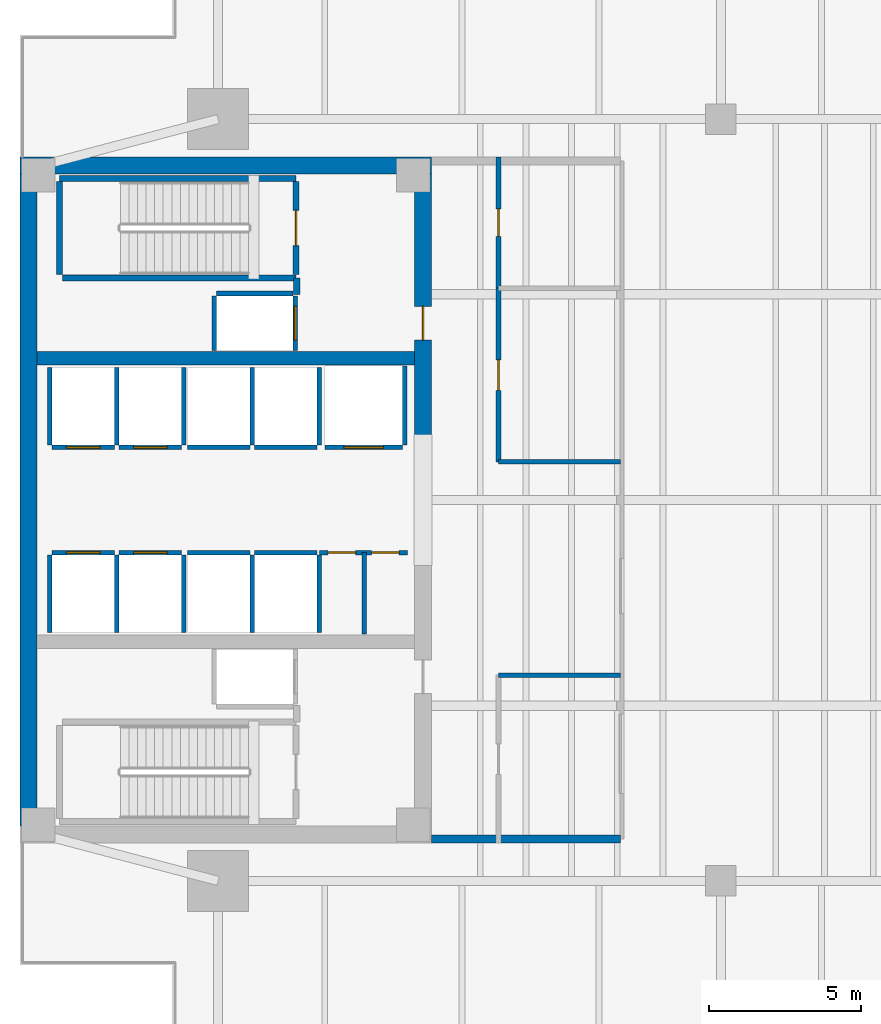
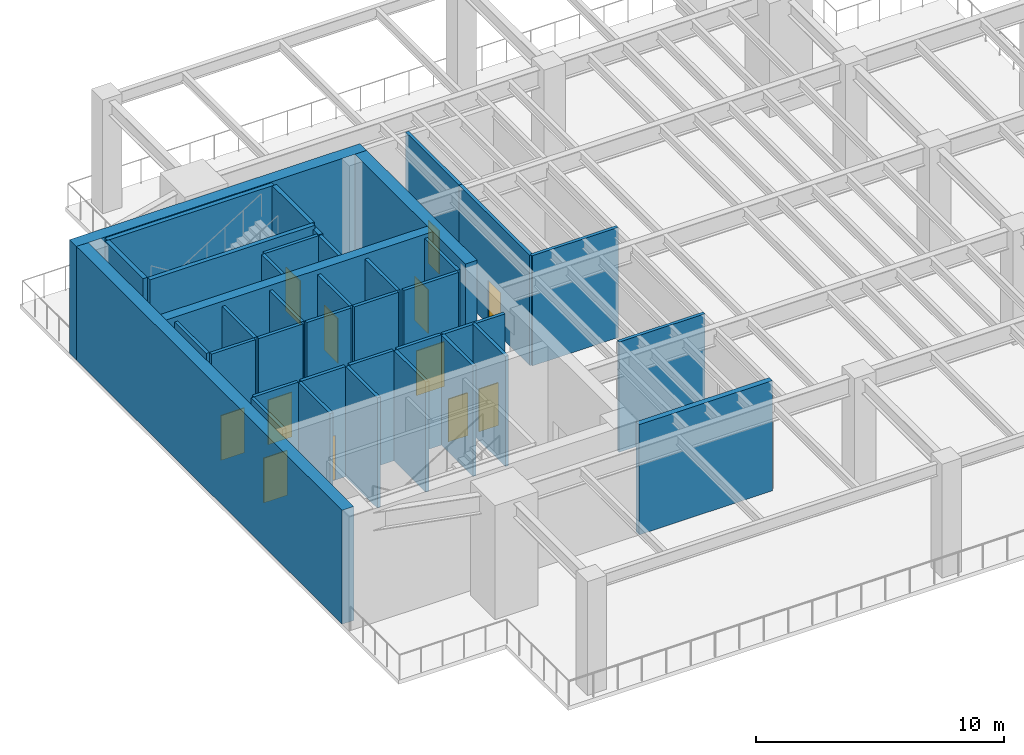
# One storey, part 3 of 8: 39 walls, 12 doors, 12 openings.
"""IFC4 building model written with IfcOpenShell, lengths in metres."""

from ifc_helpers import new_model, si_unit, direction, frame, frame_2d, origin, place, context, subcontext, project, spatial, rectangle, extrude, material, layer, layer_set, type_object, element, fill, save


model = new_model("IFC4")

# Units and contexts
model_context = context("Model", 3, precision=1e-05, world=origin(), true_north=direction((0.0, 1.0)))
body_context = subcontext(model_context, "Body", "Model", "MODEL_VIEW")
ifc_project = project(units=[si_unit("LENGTHUNIT", "METRE"), si_unit("AREAUNIT", "SQUARE_METRE"), si_unit("VOLUMEUNIT", "CUBIC_METRE"), si_unit("PLANEANGLEUNIT", "RADIAN"), si_unit("MASSUNIT", "GRAM", prefix="KILO")], contexts=[model_context])

# Site, building, storey
site_placement = place(None, origin())
site = spatial("IfcSite", under=ifc_project, at=site_placement, CompositionType="ELEMENT")
building_placement = place(site_placement, origin())
building = spatial("IfcBuilding", under=site, at=building_placement, Name="Kinhvarn Gate Tower", CompositionType="ELEMENT")
storey_placement = place(building_placement, frame((0.0, 0.0, 178.050048828125)))
storey = spatial("IfcBuildingStorey", under=building, at=storey_placement, Name="L47", CompositionType="ELEMENT", Elevation=178.050048828125)

# Walls
ifc_material_1 = material(Name="Concrete C50/60", Category="concrete")
ifc_layer_1 = layer(ifc_material_1, 0.449951171875)
ifc_layer_set_1 = layer_set([ifc_layer_1], Name="Concrete C50/60")
wall_type_1 = type_object("IfcWallType", Name="WL-CORE-450", PredefinedType="SHEAR", material=ifc_layer_set_1)
wall_1_placement = place(storey_placement, frame((5.050048828125, 29.89990234375, 0.0), z_axis=(0.0, 0.0, 1.0), x_axis=(1.0, 0.0, 0.0)))
element("IfcWall", 1, at=wall_1_placement, inside=storey, type_object=wall_type_1, Name="Core North Spine Shear Wall L47 450 mm", PredefinedType="SHEAR", context=body_context, shape_type="SweptSolid", body=[
    extrude(rectangle(XDim=12.39990234375, YDim=0.449951171875, at=frame_2d((6.199951171875, 0.0))), origin(), (0.0, 0.0, 1.0), 5.599853515625),
])
ifc_material_2 = material(Name="Concrete C60/75", Category="concrete")
ifc_layer_2 = layer(ifc_material_2, 0.550048828125)
ifc_layer_set_2 = layer_set([ifc_layer_2], Name="Concrete C60/75")
wall_type_2 = type_object("IfcWallType", Name="WL-CORE-550", PredefinedType="SHEAR", material=ifc_layer_set_2)
wall_2_placement = place(storey_placement, frame((4.5, 36.22509765625, 0.0), z_axis=(0.0, 0.0, 1.0), x_axis=(1.0, 0.0, 0.0)))
element("IfcWall", 2, at=wall_2_placement, inside=storey, type_object=wall_type_2, Name="Core North Shear Wall L47 550 mm", PredefinedType="SHEAR", context=body_context, shape_type="SweptSolid", body=[
    extrude(rectangle(XDim=13.5, YDim=0.550048828125, at=frame_2d((6.75, 0.0))), origin(), (0.0, 0.0, 1.0), 5.599853515625),
])

# Wall, opening, door
wall_3_placement = place(storey_placement, frame((17.72509765625, 27.050048828125, 0.0), z_axis=(0.0, 0.0, 1.0), x_axis=(0.0, 1.0, 0.0)))
wall_3 = element("IfcWall", 3, at=wall_3_placement, inside=storey, type_object=wall_type_2, Name="Core East-North Shear Pier L47 550 mm", PredefinedType="SHEAR", context=body_context, shape_type="SweptSolid", body=[
    extrude(rectangle(XDim=8.89990234375, YDim=0.550048828125, at=frame_2d((4.449951171875, 0.0))), origin(), (0.0, 0.0, 1.0), 5.599853515625),
])
opening_1_placement = place(wall_3_placement, frame((3.449951171875, 0.0, 0.0)))
opening_1 = element("IfcOpeningElement", 4, at=opening_1_placement, cuts=wall_3, Name="Opening FD-02", PredefinedType="OPENING", context=body_context, shape_type="SweptSolid", body=[
    extrude(rectangle(XDim=1.10009765625, YDim=2.14990234375, at=frame_2d((0.550048828125, 1.074951171875))), frame((0.0, 0.28515625, 0.0), z_axis=(0.0, -1.0, 0.0), x_axis=(1.0, 0.0, 0.0)), (0.0, 0.0, 1.0), 0.570068359375),
])
ifc_material_3 = material(Name="Anodised aluminium AW-6063", Category="aluminium")
door_type_1 = type_object("IfcDoorType", Name="DR-FD-1100", OperationType="NOTDEFINED", PredefinedType="DOOR", material=ifc_material_3)
door_1_placement = place(opening_1_placement, origin())
door_1 = element("IfcDoor", 5, at=door_1_placement, inside=storey, type_object=door_type_1, Name="Firefighting Lobby Core Door (L47)", OperationType="SINGLE_SWING_LEFT", OverallHeight=2.14990234375, OverallWidth=1.10009765625, PredefinedType="DOOR", context=body_context, shape_type="SweptSolid", body=[
    extrude(rectangle(XDim=1.10009765625, YDim=2.14990234375, at=frame_2d((0.550048828125, 1.074951171875))), frame((0.0, 0.02490234375, 0.0), z_axis=(0.0, -1.0, 0.0), x_axis=(1.0, 0.0, 0.0)), (0.0, 0.0, 1.0), 0.050048828125),
])
fill(opening_1, door_1)

# Walls
ifc_layer_3 = layer(ifc_material_2, 0.550048828125)
ifc_layer_set_3 = layer_set([ifc_layer_3], Name="Concrete C60/75")
wall_type_3 = type_object("IfcWallType", Name="WL-COREX-550", PredefinedType="SHEAR", material=ifc_layer_set_3)
wall_4_placement = place(storey_placement, frame((4.77490234375, 14.550048828125, 0.0), z_axis=(0.0, 0.0, 1.0), x_axis=(0.0, 1.0, 0.0)))
element("IfcWall", 6, at=wall_4_placement, inside=storey, type_object=wall_type_3, Name="Core West Shear Wall L47 550 mm", PredefinedType="SHEAR", context=body_context, shape_type="SweptSolid", body=[
    extrude(rectangle(XDim=21.39990234375, YDim=0.550048828125, at=frame_2d((10.699951171875, 0.0))), origin(), (0.0, 0.0, 1.0), 5.599853515625),
])
ifc_material_4 = material(Name="Fired architectural terracotta", Category="masonry")
ifc_layer_4 = layer(ifc_material_4, 0.25)
ifc_layer_set_4 = layer_set([ifc_layer_4], Name="Fired architectural terracotta")
wall_type_4 = type_object("IfcWallType", Name="WL-EXT-250", PredefinedType="SOLIDWALL", material=ifc_layer_set_4)
wall_5_placement = place(storey_placement, frame((18.0, 14.125, 0.0), z_axis=(0.0, 0.0, 1.0), x_axis=(1.0, 0.0, 0.0)))
element("IfcWall", 7, at=wall_5_placement, inside=storey, type_object=wall_type_4, Name="Exterior Solidwall Wall EW-250 (L47 Portal-Vestibule-S)", PredefinedType="SOLIDWALL", context=body_context, shape_type="SweptSolid", body=[
    extrude(rectangle(XDim=6.199951171875, YDim=0.25, at=frame_2d((3.10009765625, 0.0))), origin(), (0.0, 0.0, 1.0), 5.419921875),
])

# Wall, opening, door
ifc_material_5 = material(Name="Gypsum acoustic partition board")
ifc_layer_5 = layer(ifc_material_5, 0.14990234375)
ifc_layer_set_5 = layer_set([ifc_layer_5], Name="Gypsum acoustic partition board")
wall_type_5 = type_object("IfcWallType", Name="WL-PLM-150F", PredefinedType="PLUMBINGWALL", material=ifc_layer_set_5)
wall_6_placement = place(storey_placement, frame((20.199951171875, 32.199951171875, 0.0), z_axis=(0.0, 0.0, 1.0), x_axis=(0.0, 1.0, 0.0)))
wall_6 = element("IfcWall", 8, at=wall_6_placement, inside=storey, type_object=wall_type_5, Name="Interior Partition PLW-150F (L47)", PredefinedType="PLUMBINGWALL", context=body_context, shape_type="SweptSolid", body=[
    extrude(rectangle(XDim=4.300048828125, YDim=0.14990234375, at=frame_2d((2.14990234375, 0.0))), origin(), (0.0, 0.0, 1.0), 5.419921875),
])
opening_2_placement = place(wall_6_placement, frame((1.699951171875, 0.0, 0.0)))
opening_2 = element("IfcOpeningElement", 9, at=opening_2_placement, cuts=wall_6, Name="Opening FD-04", PredefinedType="OPENING", context=body_context, shape_type="SweptSolid", body=[
    extrude(rectangle(XDim=0.89990234375, YDim=2.10009765625, at=frame_2d((0.449951171875, 1.050048828125))), frame((0.0, 0.0849609375, 0.0), z_axis=(0.0, -1.0, 0.0), x_axis=(1.0, 0.0, 0.0)), (0.0, 0.0, 1.0), 0.169921875),
])
door_type_2 = type_object("IfcDoorType", Name="DR-FD-900", OperationType="NOTDEFINED", PredefinedType="DOOR", material=ifc_material_3)
door_2_placement = place(opening_2_placement, origin())
door_2 = element("IfcDoor", 10, at=door_2_placement, inside=storey, type_object=door_type_2, Name="Rated Riser & Service Closet Fire Door 900x2100 mm (L47)", OperationType="SINGLE_SWING_RIGHT", OverallHeight=2.10009765625, OverallWidth=0.89990234375, PredefinedType="DOOR", context=body_context, shape_type="SweptSolid", body=[
    extrude(rectangle(XDim=0.89990234375, YDim=2.10009765625, at=frame_2d((0.449951171875, 1.050048828125))), frame((0.0, 0.02490234375, 0.0), z_axis=(0.0, -1.0, 0.0), x_axis=(1.0, 0.0, 0.0)), (0.0, 0.0, 1.0), 0.050048828125),
])
fill(opening_2, door_2)

# Wall
ifc_layer_6 = layer(ifc_material_5, 0.14990234375)
ifc_layer_set_6 = layer_set([ifc_layer_6], Name="Gypsum acoustic partition board")
wall_type_6 = type_object("IfcWallType", Name="WL-PRT-150F", PredefinedType="PARTITIONING", material=ifc_layer_set_6)
wall_7_placement = place(storey_placement, frame((15.800048828125, 20.85009765625, 0.0), z_axis=(0.0, 0.0, 1.0), x_axis=(0.0, 1.0, 0.0)))
element("IfcWall", 11, at=wall_7_placement, inside=storey, type_object=wall_type_6, Name="Interior Partition PW-150F (L47)", PredefinedType="PARTITIONING", context=body_context, shape_type="SweptSolid", body=[
    extrude(rectangle(XDim=2.669921875, YDim=0.14990234375, at=frame_2d((1.3349609375, 0.0))), origin(), (0.0, 0.0, 1.0), 5.419921875),
])

# Wall, openings, doors
wall_8_placement = place(storey_placement, frame((14.330078125, 23.52001953125, 0.0), z_axis=(0.0, 0.0, 1.0), x_axis=(1.0, 0.0, 0.0)))
wall_8 = element("IfcWall", 12, at=wall_8_placement, inside=storey, type_object=wall_type_6, Name="Interior Partition PW-150F (L47)", PredefinedType="PARTITIONING", context=body_context, shape_type="SweptSolid", body=[
    extrude(rectangle(XDim=2.889892578125, YDim=0.14990234375, at=frame_2d((1.44482421875, 0.0))), origin(), (0.0, 0.0, 1.0), 5.419921875),
])
opening_3_placement = place(wall_8_placement, frame((0.280029296875, 0.0, 0.0)))
opening_3 = element("IfcOpeningElement", 13, at=opening_3_placement, cuts=wall_8, Name="Opening FD-04", PredefinedType="OPENING", context=body_context, shape_type="SweptSolid", body=[
    extrude(rectangle(XDim=0.89990234375, YDim=2.10009765625, at=frame_2d((0.449951171875, 1.050048828125))), frame((0.0, 0.0849609375, 0.0), z_axis=(0.0, -1.0, 0.0), x_axis=(1.0, 0.0, 0.0)), (0.0, 0.0, 1.0), 0.169921875),
])
opening_4_placement = place(wall_8_placement, frame((1.7099609375, 0.0, 0.0)))
opening_4 = element("IfcOpeningElement", 14, at=opening_4_placement, cuts=wall_8, Name="Opening FD-04", PredefinedType="OPENING", context=body_context, shape_type="SweptSolid", body=[
    extrude(rectangle(XDim=0.89990234375, YDim=2.10009765625, at=frame_2d((0.449951171875, 1.050048828125))), frame((0.0, 0.0849609375, 0.0), z_axis=(0.0, -1.0, 0.0), x_axis=(1.0, 0.0, 0.0)), (0.0, 0.0, 1.0), 0.169921875),
])
door_3_placement = place(opening_3_placement, origin())
door_3 = element("IfcDoor", 15, at=door_3_placement, inside=storey, type_object=door_type_2, Name="Rated Riser & Service Closet Fire Door 900x2100 mm (L47)", OperationType="SINGLE_SWING_RIGHT", OverallHeight=2.10009765625, OverallWidth=0.89990234375, PredefinedType="DOOR", context=body_context, shape_type="SweptSolid", body=[
    extrude(rectangle(XDim=0.89990234375, YDim=2.10009765625, at=frame_2d((0.449951171875, 1.050048828125))), frame((0.0, 0.02490234375, 0.0), z_axis=(0.0, -1.0, 0.0), x_axis=(1.0, 0.0, 0.0)), (0.0, 0.0, 1.0), 0.050048828125),
])
fill(opening_3, door_3)
door_4_placement = place(opening_4_placement, origin())
door_4 = element("IfcDoor", 16, at=door_4_placement, inside=storey, type_object=door_type_2, Name="Rated Riser & Service Closet Fire Door 900x2100 mm (L47)", OperationType="SINGLE_SWING_LEFT", OverallHeight=2.10009765625, OverallWidth=0.89990234375, PredefinedType="DOOR", context=body_context, shape_type="SweptSolid", body=[
    extrude(rectangle(XDim=0.89990234375, YDim=2.10009765625, at=frame_2d((0.449951171875, 1.050048828125))), frame((0.0, 0.02490234375, 0.0), z_axis=(0.0, -1.0, 0.0), x_axis=(1.0, 0.0, 0.0)), (0.0, 0.0, 1.0), 0.050048828125),
])
fill(opening_4, door_4)

# Wall, opening, door
wall_9_placement = place(storey_placement, frame((20.199951171875, 26.5, 0.0), z_axis=(0.0, 0.0, 1.0), x_axis=(0.0, 1.0, 0.0)))
wall_9 = element("IfcWall", 17, at=wall_9_placement, inside=storey, type_object=wall_type_6, Name="Interior Partition PW-150F (L47)", PredefinedType="PARTITIONING", context=body_context, shape_type="SweptSolid", body=[
    extrude(rectangle(XDim=5.699951171875, YDim=0.14990234375, at=frame_2d((2.85009765625, 0.0))), origin(), (0.0, 0.0, 1.0), 5.419921875),
])
opening_5_placement = place(wall_9_placement, frame((2.35009765625, 0.0, 0.0)))
opening_5 = element("IfcOpeningElement", 18, at=opening_5_placement, cuts=wall_9, Name="Opening ID-02", PredefinedType="OPENING", context=body_context, shape_type="SweptSolid", body=[
    extrude(rectangle(XDim=1.0, YDim=2.14990234375, at=frame_2d((0.5, 1.074951171875))), frame((0.0, 0.0849609375, 0.0), z_axis=(0.0, -1.0, 0.0), x_axis=(1.0, 0.0, 0.0)), (0.0, 0.0, 1.0), 0.169921875),
])
door_type_3 = type_object("IfcDoorType", Name="DR-INT-1000", OperationType="NOTDEFINED", PredefinedType="DOOR", material=ifc_material_3)
door_5_placement = place(opening_5_placement, origin())
door_5 = element("IfcDoor", 19, at=door_5_placement, inside=storey, type_object=door_type_3, Name="Standard Office & Meeting Room Door 1000x2150 mm (L47)", OperationType="SINGLE_SWING_LEFT", OverallHeight=2.14990234375, OverallWidth=1.0, PredefinedType="DOOR", context=body_context, shape_type="SweptSolid", body=[
    extrude(rectangle(XDim=1.0, YDim=2.14990234375, at=frame_2d((0.5, 1.074951171875))), frame((0.0, 0.02490234375, 0.0), z_axis=(0.0, -1.0, 0.0), x_axis=(1.0, 0.0, 0.0)), (0.0, 0.0, 1.0), 0.050048828125),
])
fill(opening_5, door_5)

# Walls
for number, where, z_axis, x_axis, name in (
    (20, (20.199951171875, 19.5, 0.0), (0.0, 0.0, 1.0), (1.0, 0.0, 0.0), "Interior Partition PW-150F (L47)"),
    (21, (20.199951171875, 26.5, 0.0), (0.0, 0.0, 1.0), (1.0, 0.0, 0.0), "Interior Partition PW-150F (L47)"),
):
    element("IfcWall", number, at=place(storey_placement, frame(where, z_axis=z_axis, x_axis=x_axis)), inside=storey, type_object=wall_type_6, Name=name, PredefinedType="PARTITIONING", context=body_context, shape_type="SweptSolid", body=[
        extrude(rectangle(XDim=4.0, YDim=0.14990234375, at=frame_2d((2.0, 0.0))), origin(), (0.0, 0.0, 1.0), 5.419921875),
    ])
ifc_layer_7 = layer(ifc_material_5, 0.199951171875)
ifc_layer_set_7 = layer_set([ifc_layer_7], Name="Gypsum acoustic partition board")
wall_type_7 = type_object("IfcWallType", Name="WL-PRT-200", PredefinedType="PARTITIONING", material=ifc_layer_set_7)
wall_10_placement = place(storey_placement, frame((13.580078125, 32.0, 0.0), z_axis=(0.0, 0.0, 1.0), x_axis=(0.0, 1.0, 0.0)))
element("IfcWall", 22, at=wall_10_placement, inside=storey, type_object=wall_type_7, Name="Interior Partition PW-200 (L47)", PredefinedType="PARTITIONING", context=body_context, shape_type="SweptSolid", body=[
    extrude(rectangle(XDim=0.5400390625, YDim=0.199951171875, at=frame_2d((0.27001953125, 0.0))), origin(), (0.0, 0.0, 1.0), 5.419921875),
])

# Wall, opening, door
ifc_layer_8 = layer(ifc_material_5, 0.14990234375)
ifc_layer_set_8 = layer_set([ifc_layer_8], Name="Gypsum acoustic partition board")
wall_type_8 = type_object("IfcWallType", Name="WL-SHF-150", PredefinedType="PARTITIONING", material=ifc_layer_set_8)
wall_11_placement = place(storey_placement, frame((5.550048828125, 23.52490234375, 0.0), z_axis=(0.0, 0.0, 1.0), x_axis=(1.0, 0.0, 0.0)))
wall_11 = element("IfcWall", 23, at=wall_11_placement, inside=storey, type_object=wall_type_8, Name="Elevator PM-05 Landing Wall (L47)", PredefinedType="PARTITIONING", context=body_context, shape_type="SweptSolid", body=[
    extrude(rectangle(XDim=2.050048828125, YDim=0.14990234375, at=frame_2d((1.02490234375, 0.0))), origin(), (0.0, 0.0, 1.0), 5.419921875),
])
opening_6_placement = place(wall_11_placement, frame((0.47509765625, 0.0, 0.0)))
opening_6 = element("IfcOpeningElement", 24, at=opening_6_placement, cuts=wall_11, Name="Opening LD-01", PredefinedType="OPENING", context=body_context, shape_type="SweptSolid", body=[
    extrude(rectangle(XDim=1.10009765625, YDim=2.199951171875, at=frame_2d((0.550048828125, 1.10009765625))), frame((0.0, 0.0849609375, 0.0), z_axis=(0.0, -1.0, 0.0), x_axis=(1.0, 0.0, 0.0)), (0.0, 0.0, 1.0), 0.169921875),
])
door_type_4 = type_object("IfcDoorType", Name="DR-LND-PAS", OperationType="NOTDEFINED", PredefinedType="DOOR", material=ifc_material_3)
door_6_placement = place(opening_6_placement, origin())
door_6 = element("IfcDoor", 25, at=door_6_placement, inside=storey, type_object=door_type_4, Name="Elevator PM-05 Sliding Landing Door (L47)", OperationType="DOUBLE_DOOR_SLIDING", OverallHeight=2.199951171875, OverallWidth=1.10009765625, PredefinedType="DOOR", context=body_context, shape_type="SweptSolid", body=[
    extrude(rectangle(XDim=1.10009765625, YDim=2.199951171875, at=frame_2d((0.550048828125, 1.10009765625))), frame((0.0, 0.02490234375, 0.0), z_axis=(0.0, -1.0, 0.0), x_axis=(1.0, 0.0, 0.0)), (0.0, 0.0, 1.0), 0.050048828125),
])
fill(opening_6, door_6)

# Walls
for number, where, z_axis, x_axis, name in (
    (26, (5.47509765625, 20.89990234375, 0.0), (0.0, 0.0, 1.0), (0.0, 1.0, 0.0), "Elevator PM-05 Hoistway Wall W (L47)"),
    (27, (7.675048828125, 20.89990234375, 0.0), (0.0, 0.0, 1.0), (0.0, 1.0, 0.0), "Elevator PM-05 Hoistway Wall E (L47)"),
):
    element("IfcWall", number, at=place(storey_placement, frame(where, z_axis=z_axis, x_axis=x_axis)), inside=storey, type_object=wall_type_8, Name=name, PredefinedType="PARTITIONING", context=body_context, shape_type="SweptSolid", body=[
        extrude(rectangle(XDim=2.550048828125, YDim=0.14990234375, at=frame_2d((1.27490234375, 0.0))), origin(), (0.0, 0.0, 1.0), 5.419921875),
    ])

# Wall, opening, door
wall_12_placement = place(storey_placement, frame((7.75, 23.52490234375, 0.0), z_axis=(0.0, 0.0, 1.0), x_axis=(1.0, 0.0, 0.0)))
wall_12 = element("IfcWall", 28, at=wall_12_placement, inside=storey, type_object=wall_type_8, Name="Elevator PM-06 Landing Wall (L47)", PredefinedType="PARTITIONING", context=body_context, shape_type="SweptSolid", body=[
    extrude(rectangle(XDim=2.050048828125, YDim=0.14990234375, at=frame_2d((1.02490234375, 0.0))), origin(), (0.0, 0.0, 1.0), 5.419921875),
])
opening_7_placement = place(wall_12_placement, frame((0.47509765625, 0.0, 0.0)))
opening_7 = element("IfcOpeningElement", 29, at=opening_7_placement, cuts=wall_12, Name="Opening LD-01", PredefinedType="OPENING", context=body_context, shape_type="SweptSolid", body=[
    extrude(rectangle(XDim=1.10009765625, YDim=2.199951171875, at=frame_2d((0.550048828125, 1.10009765625))), frame((0.0, 0.0849609375, 0.0), z_axis=(0.0, -1.0, 0.0), x_axis=(1.0, 0.0, 0.0)), (0.0, 0.0, 1.0), 0.169921875),
])
door_7_placement = place(opening_7_placement, origin())
door_7 = element("IfcDoor", 30, at=door_7_placement, inside=storey, type_object=door_type_4, Name="Elevator PM-06 Sliding Landing Door (L47)", OperationType="DOUBLE_DOOR_SLIDING", OverallHeight=2.199951171875, OverallWidth=1.10009765625, PredefinedType="DOOR", context=body_context, shape_type="SweptSolid", body=[
    extrude(rectangle(XDim=1.10009765625, YDim=2.199951171875, at=frame_2d((0.550048828125, 1.10009765625))), frame((0.0, 0.02490234375, 0.0), z_axis=(0.0, -1.0, 0.0), x_axis=(1.0, 0.0, 0.0)), (0.0, 0.0, 1.0), 0.050048828125),
])
fill(opening_7, door_7)

# Wall
wall_13_placement = place(storey_placement, frame((9.875, 20.89990234375, 0.0), z_axis=(0.0, 0.0, 1.0), x_axis=(0.0, 1.0, 0.0)))
element("IfcWall", 31, at=wall_13_placement, inside=storey, type_object=wall_type_8, Name="Elevator PM-06 Hoistway Wall E (L47)", PredefinedType="PARTITIONING", context=body_context, shape_type="SweptSolid", body=[
    extrude(rectangle(XDim=2.550048828125, YDim=0.14990234375, at=frame_2d((1.27490234375, 0.0))), origin(), (0.0, 0.0, 1.0), 5.419921875),
])

# Wall, opening, door
wall_14_placement = place(storey_placement, frame((5.550048828125, 26.97509765625, 0.0), z_axis=(0.0, 0.0, 1.0), x_axis=(1.0, 0.0, 0.0)))
wall_14 = element("IfcWall", 32, at=wall_14_placement, inside=storey, type_object=wall_type_8, Name="Elevator PM-07 Landing Wall (L47)", PredefinedType="PARTITIONING", context=body_context, shape_type="SweptSolid", body=[
    extrude(rectangle(XDim=2.050048828125, YDim=0.14990234375, at=frame_2d((1.02490234375, 0.0))), origin(), (0.0, 0.0, 1.0), 5.419921875),
])
opening_8_placement = place(wall_14_placement, frame((0.47509765625, 0.0, 0.0)))
opening_8 = element("IfcOpeningElement", 33, at=opening_8_placement, cuts=wall_14, Name="Opening LD-01", PredefinedType="OPENING", context=body_context, shape_type="SweptSolid", body=[
    extrude(rectangle(XDim=1.10009765625, YDim=2.199951171875, at=frame_2d((0.550048828125, 1.10009765625))), frame((0.0, 0.0849609375, 0.0), z_axis=(0.0, -1.0, 0.0), x_axis=(1.0, 0.0, 0.0)), (0.0, 0.0, 1.0), 0.169921875),
])
door_8_placement = place(opening_8_placement, origin())
door_8 = element("IfcDoor", 34, at=door_8_placement, inside=storey, type_object=door_type_4, Name="Elevator PM-07 Sliding Landing Door (L47)", OperationType="DOUBLE_DOOR_SLIDING", OverallHeight=2.199951171875, OverallWidth=1.10009765625, PredefinedType="DOOR", context=body_context, shape_type="SweptSolid", body=[
    extrude(rectangle(XDim=1.10009765625, YDim=2.199951171875, at=frame_2d((0.550048828125, 1.10009765625))), frame((0.0, 0.02490234375, 0.0), z_axis=(0.0, -1.0, 0.0), x_axis=(1.0, 0.0, 0.0)), (0.0, 0.0, 1.0), 0.050048828125),
])
fill(opening_8, door_8)

# Walls
for number, where, z_axis, x_axis, name in (
    (35, (5.47509765625, 27.050048828125, 0.0), (0.0, 0.0, 1.0), (0.0, 1.0, 0.0), "Elevator PM-07 Hoistway Wall W (L47)"),
    (36, (7.675048828125, 27.050048828125, 0.0), (0.0, 0.0, 1.0), (0.0, 1.0, 0.0), "Elevator PM-07 Hoistway Wall E (L47)"),
):
    element("IfcWall", number, at=place(storey_placement, frame(where, z_axis=z_axis, x_axis=x_axis)), inside=storey, type_object=wall_type_8, Name=name, PredefinedType="PARTITIONING", context=body_context, shape_type="SweptSolid", body=[
        extrude(rectangle(XDim=2.550048828125, YDim=0.14990234375, at=frame_2d((1.27490234375, 0.0))), origin(), (0.0, 0.0, 1.0), 5.419921875),
    ])

# Wall, opening, door
wall_15_placement = place(storey_placement, frame((7.75, 26.97509765625, 0.0), z_axis=(0.0, 0.0, 1.0), x_axis=(1.0, 0.0, 0.0)))
wall_15 = element("IfcWall", 37, at=wall_15_placement, inside=storey, type_object=wall_type_8, Name="Elevator PM-08 Landing Wall (L47)", PredefinedType="PARTITIONING", context=body_context, shape_type="SweptSolid", body=[
    extrude(rectangle(XDim=2.050048828125, YDim=0.14990234375, at=frame_2d((1.02490234375, 0.0))), origin(), (0.0, 0.0, 1.0), 5.419921875),
])
opening_9_placement = place(wall_15_placement, frame((0.47509765625, 0.0, 0.0)))
opening_9 = element("IfcOpeningElement", 38, at=opening_9_placement, cuts=wall_15, Name="Opening LD-01", PredefinedType="OPENING", context=body_context, shape_type="SweptSolid", body=[
    extrude(rectangle(XDim=1.10009765625, YDim=2.199951171875, at=frame_2d((0.550048828125, 1.10009765625))), frame((0.0, 0.0849609375, 0.0), z_axis=(0.0, -1.0, 0.0), x_axis=(1.0, 0.0, 0.0)), (0.0, 0.0, 1.0), 0.169921875),
])
door_9_placement = place(opening_9_placement, origin())
door_9 = element("IfcDoor", 39, at=door_9_placement, inside=storey, type_object=door_type_4, Name="Elevator PM-08 Sliding Landing Door (L47)", OperationType="DOUBLE_DOOR_SLIDING", OverallHeight=2.199951171875, OverallWidth=1.10009765625, PredefinedType="DOOR", context=body_context, shape_type="SweptSolid", body=[
    extrude(rectangle(XDim=1.10009765625, YDim=2.199951171875, at=frame_2d((0.550048828125, 1.10009765625))), frame((0.0, 0.02490234375, 0.0), z_axis=(0.0, -1.0, 0.0), x_axis=(1.0, 0.0, 0.0)), (0.0, 0.0, 1.0), 0.050048828125),
])
fill(opening_9, door_9)

# Walls
wall_16_placement = place(storey_placement, frame((9.875, 27.050048828125, 0.0), z_axis=(0.0, 0.0, 1.0), x_axis=(0.0, 1.0, 0.0)))
element("IfcWall", 40, at=wall_16_placement, inside=storey, type_object=wall_type_8, Name="Elevator PM-08 Hoistway Wall E (L47)", PredefinedType="PARTITIONING", context=body_context, shape_type="SweptSolid", body=[
    extrude(rectangle(XDim=2.550048828125, YDim=0.14990234375, at=frame_2d((1.27490234375, 0.0))), origin(), (0.0, 0.0, 1.0), 5.419921875),
])
wall_17_placement = place(storey_placement, frame((10.0, 23.52490234375, 0.0), z_axis=(0.0, 0.0, 1.0), x_axis=(1.0, 0.0, 0.0)))
element("IfcWall", 41, at=wall_17_placement, inside=storey, type_object=wall_type_8, Name="Elevator PH-09 Landing Wall (L47)", PredefinedType="PARTITIONING", context=body_context, shape_type="SweptSolid", body=[
    extrude(rectangle(XDim=2.050048828125, YDim=0.14990234375, at=frame_2d((1.02490234375, 0.0))), origin(), (0.0, 0.0, 1.0), 5.419921875),
])
wall_18_placement = place(storey_placement, frame((12.125, 20.89990234375, 0.0), z_axis=(0.0, 0.0, 1.0), x_axis=(0.0, 1.0, 0.0)))
element("IfcWall", 42, at=wall_18_placement, inside=storey, type_object=wall_type_8, Name="Elevator PH-09 Hoistway Wall E (L47)", PredefinedType="PARTITIONING", context=body_context, shape_type="SweptSolid", body=[
    extrude(rectangle(XDim=2.550048828125, YDim=0.14990234375, at=frame_2d((1.27490234375, 0.0))), origin(), (0.0, 0.0, 1.0), 5.419921875),
])
wall_19_placement = place(storey_placement, frame((12.199951171875, 23.52490234375, 0.0), z_axis=(0.0, 0.0, 1.0), x_axis=(1.0, 0.0, 0.0)))
element("IfcWall", 43, at=wall_19_placement, inside=storey, type_object=wall_type_8, Name="Elevator PH-10 Landing Wall (L47)", PredefinedType="PARTITIONING", context=body_context, shape_type="SweptSolid", body=[
    extrude(rectangle(XDim=2.050048828125, YDim=0.14990234375, at=frame_2d((1.02490234375, 0.0))), origin(), (0.0, 0.0, 1.0), 5.419921875),
])
wall_20_placement = place(storey_placement, frame((14.324951171875, 20.89990234375, 0.0), z_axis=(0.0, 0.0, 1.0), x_axis=(0.0, 1.0, 0.0)))
element("IfcWall", 44, at=wall_20_placement, inside=storey, type_object=wall_type_8, Name="Elevator PH-10 Hoistway Wall E (L47)", PredefinedType="PARTITIONING", context=body_context, shape_type="SweptSolid", body=[
    extrude(rectangle(XDim=2.550048828125, YDim=0.14990234375, at=frame_2d((1.27490234375, 0.0))), origin(), (0.0, 0.0, 1.0), 5.419921875),
])
wall_21_placement = place(storey_placement, frame((10.0, 26.97509765625, 0.0), z_axis=(0.0, 0.0, 1.0), x_axis=(1.0, 0.0, 0.0)))
element("IfcWall", 45, at=wall_21_placement, inside=storey, type_object=wall_type_8, Name="Elevator PH-11 Landing Wall (L47)", PredefinedType="PARTITIONING", context=body_context, shape_type="SweptSolid", body=[
    extrude(rectangle(XDim=2.050048828125, YDim=0.14990234375, at=frame_2d((1.02490234375, 0.0))), origin(), (0.0, 0.0, 1.0), 5.419921875),
])
wall_22_placement = place(storey_placement, frame((12.125, 27.050048828125, 0.0), z_axis=(0.0, 0.0, 1.0), x_axis=(0.0, 1.0, 0.0)))
element("IfcWall", 46, at=wall_22_placement, inside=storey, type_object=wall_type_8, Name="Elevator PH-11 Hoistway Wall E (L47)", PredefinedType="PARTITIONING", context=body_context, shape_type="SweptSolid", body=[
    extrude(rectangle(XDim=2.550048828125, YDim=0.14990234375, at=frame_2d((1.27490234375, 0.0))), origin(), (0.0, 0.0, 1.0), 5.419921875),
])
wall_23_placement = place(storey_placement, frame((12.199951171875, 26.97509765625, 0.0), z_axis=(0.0, 0.0, 1.0), x_axis=(1.0, 0.0, 0.0)))
element("IfcWall", 47, at=wall_23_placement, inside=storey, type_object=wall_type_8, Name="Elevator PH-12 Landing Wall (L47)", PredefinedType="PARTITIONING", context=body_context, shape_type="SweptSolid", body=[
    extrude(rectangle(XDim=2.050048828125, YDim=0.14990234375, at=frame_2d((1.02490234375, 0.0))), origin(), (0.0, 0.0, 1.0), 5.419921875),
])
wall_24_placement = place(storey_placement, frame((14.324951171875, 27.050048828125, 0.0), z_axis=(0.0, 0.0, 1.0), x_axis=(0.0, 1.0, 0.0)))
element("IfcWall", 48, at=wall_24_placement, inside=storey, type_object=wall_type_8, Name="Elevator PH-12 Hoistway Wall E (L47)", PredefinedType="PARTITIONING", context=body_context, shape_type="SweptSolid", body=[
    extrude(rectangle(XDim=2.550048828125, YDim=0.14990234375, at=frame_2d((1.27490234375, 0.0))), origin(), (0.0, 0.0, 1.0), 5.419921875),
])

# Wall, opening, door
wall_25_placement = place(storey_placement, frame((14.5, 26.97509765625, 0.0), z_axis=(0.0, 0.0, 1.0), x_axis=(1.0, 0.0, 0.0)))
wall_25 = element("IfcWall", 49, at=wall_25_placement, inside=storey, type_object=wall_type_8, Name="Elevator SV-01 Landing Wall (L47)", PredefinedType="PARTITIONING", context=body_context, shape_type="SweptSolid", body=[
    extrude(rectangle(XDim=2.550048828125, YDim=0.14990234375, at=frame_2d((1.27490234375, 0.0))), origin(), (0.0, 0.0, 1.0), 5.419921875),
])
opening_10_placement = place(wall_25_placement, frame((0.625, 0.0, 0.0)))
opening_10 = element("IfcOpeningElement", 50, at=opening_10_placement, cuts=wall_25, Name="Opening LD-02", PredefinedType="OPENING", context=body_context, shape_type="SweptSolid", body=[
    extrude(rectangle(XDim=1.300048828125, YDim=2.199951171875, at=frame_2d((0.64990234375, 1.10009765625))), frame((0.0, 0.0849609375, 0.0), z_axis=(0.0, -1.0, 0.0), x_axis=(1.0, 0.0, 0.0)), (0.0, 0.0, 1.0), 0.169921875),
])
door_type_5 = type_object("IfcDoorType", Name="DR-LND-SRV", OperationType="NOTDEFINED", PredefinedType="DOOR", material=ifc_material_3)
door_10_placement = place(opening_10_placement, origin())
door_10 = element("IfcDoor", 51, at=door_10_placement, inside=storey, type_object=door_type_5, Name="Elevator SV-01 Sliding Landing Door (L47)", OperationType="DOUBLE_DOOR_SLIDING", OverallHeight=2.199951171875, OverallWidth=1.300048828125, PredefinedType="DOOR", context=body_context, shape_type="SweptSolid", body=[
    extrude(rectangle(XDim=1.300048828125, YDim=2.199951171875, at=frame_2d((0.64990234375, 1.10009765625))), frame((0.0, 0.02490234375, 0.0), z_axis=(0.0, -1.0, 0.0), x_axis=(1.0, 0.0, 0.0)), (0.0, 0.0, 1.0), 0.050048828125),
])
fill(opening_10, door_10)

# Walls
wall_26_placement = place(storey_placement, frame((17.125, 27.050048828125, 0.0), z_axis=(0.0, 0.0, 1.0), x_axis=(0.0, 1.0, 0.0)))
element("IfcWall", 52, at=wall_26_placement, inside=storey, type_object=wall_type_8, Name="Elevator SV-01 Hoistway Wall E (L47)", PredefinedType="PARTITIONING", context=body_context, shape_type="SweptSolid", body=[
    extrude(rectangle(XDim=2.599853515625, YDim=0.14990234375, at=frame_2d((1.2998046875, 0.0))), origin(), (0.0, 0.0, 1.0), 5.419921875),
])
wall_27_placement = place(storey_placement, frame((10.949951171875, 32.02490234375, 0.0), z_axis=(0.0, 0.0, 1.0), x_axis=(1.0, 0.0, 0.0)))
element("IfcWall", 53, at=wall_27_placement, inside=storey, type_object=wall_type_8, Name="Elevator FF2 Hoistway Wall N (L47)", PredefinedType="PARTITIONING", context=body_context, shape_type="SweptSolid", body=[
    extrude(rectangle(XDim=2.5, YDim=0.14990234375, at=frame_2d((1.25, 0.0))), origin(), (0.0, 0.0, 1.0), 5.419921875),
])
wall_28_placement = place(storey_placement, frame((10.875, 30.14990234375, 0.0), z_axis=(0.0, 0.0, 1.0), x_axis=(0.0, 1.0, 0.0)))
element("IfcWall", 54, at=wall_28_placement, inside=storey, type_object=wall_type_8, Name="Elevator FF2 Hoistway Wall W (L47)", PredefinedType="PARTITIONING", context=body_context, shape_type="SweptSolid", body=[
    extrude(rectangle(XDim=1.800048828125, YDim=0.14990234375, at=frame_2d((0.89990234375, 0.0))), origin(), (0.0, 0.0, 1.0), 5.419921875),
])

# Wall, opening, door
wall_29_placement = place(storey_placement, frame((13.52490234375, 30.14990234375, 0.0), z_axis=(0.0, 0.0, 1.0), x_axis=(0.0, 1.0, 0.0)))
wall_29 = element("IfcWall", 55, at=wall_29_placement, inside=storey, type_object=wall_type_8, Name="Elevator FF2 Landing Wall (L47)", PredefinedType="PARTITIONING", context=body_context, shape_type="SweptSolid", body=[
    extrude(rectangle(XDim=1.800048828125, YDim=0.14990234375, at=frame_2d((0.89990234375, 0.0))), origin(), (0.0, 0.0, 1.0), 5.419921875),
])
opening_11_placement = place(wall_29_placement, frame((0.35009765625, 0.0, 0.0)))
opening_11 = element("IfcOpeningElement", 56, at=opening_11_placement, cuts=wall_29, Name="Opening LD-03", PredefinedType="OPENING", context=body_context, shape_type="SweptSolid", body=[
    extrude(rectangle(XDim=1.10009765625, YDim=2.199951171875, at=frame_2d((0.550048828125, 1.10009765625))), frame((0.0, 0.0849609375, 0.0), z_axis=(0.0, -1.0, 0.0), x_axis=(1.0, 0.0, 0.0)), (0.0, 0.0, 1.0), 0.169921875),
])
door_type_6 = type_object("IfcDoorType", Name="DR-LND-FF", OperationType="NOTDEFINED", PredefinedType="DOOR", material=ifc_material_3)
door_11_placement = place(opening_11_placement, origin())
door_11 = element("IfcDoor", 57, at=door_11_placement, inside=storey, type_object=door_type_6, Name="Elevator FF2 Sliding Landing Door (L47)", OperationType="DOUBLE_DOOR_SLIDING", OverallHeight=2.199951171875, OverallWidth=1.10009765625, PredefinedType="DOOR", context=body_context, shape_type="SweptSolid", body=[
    extrude(rectangle(XDim=1.10009765625, YDim=2.199951171875, at=frame_2d((0.550048828125, 1.10009765625))), frame((0.0, 0.02490234375, 0.0), z_axis=(0.0, -1.0, 0.0), x_axis=(1.0, 0.0, 0.0)), (0.0, 0.0, 1.0), 0.050048828125),
])
fill(opening_11, door_11)

# Walls
ifc_material_6 = material(Name="Concrete C40/50", Category="concrete")
ifc_layer_9 = layer(ifc_material_6, 0.199951171875)
ifc_layer_set_9 = layer_set([ifc_layer_9], Name="Concrete C40/50")
wall_type_9 = type_object("IfcWallType", Name="WL-SHF-200", PredefinedType="SOLIDWALL", material=ifc_layer_set_9)
wall_30_placement = place(storey_placement, frame((5.800048828125, 35.800048828125, 0.0), z_axis=(0.0, 0.0, 1.0), x_axis=(1.0, 0.0, 0.0)))
element("IfcWall", 58, at=wall_30_placement, inside=storey, type_object=wall_type_9, Name="Stair ST2 North Shaft Wall (L47)", PredefinedType="SOLIDWALL", context=body_context, shape_type="SweptSolid", body=[
    extrude(rectangle(XDim=7.75, YDim=0.199951171875, at=frame_2d((3.875, 0.0))), origin(), (0.0, 0.0, 1.0), 5.599853515625),
])
wall_31_placement = place(storey_placement, frame((5.7900390625, 32.64990234375, 0.0), z_axis=(0.0, 0.0, 1.0), x_axis=(0.0, 1.0, 0.0)))
element("IfcWall", 59, at=wall_31_placement, inside=storey, type_object=wall_type_9, Name="Stair ST2 West Shaft Wall (L47)", PredefinedType="SOLIDWALL", context=body_context, shape_type="SweptSolid", body=[
    extrude(rectangle(XDim=3.050048828125, YDim=0.199951171875, at=frame_2d((1.52490234375, 0.0))), origin(), (0.0, 0.0, 1.0), 5.599853515625),
])
wall_32_placement = place(storey_placement, frame((5.89990234375, 32.5400390625, 0.0), z_axis=(0.0, 0.0, 1.0), x_axis=(1.0, 0.0, 0.0)))
element("IfcWall", 60, at=wall_32_placement, inside=storey, type_object=wall_type_9, Name="Stair ST2 South Shaft Wall (L47)", PredefinedType="SOLIDWALL", context=body_context, shape_type="SweptSolid", body=[
    extrude(rectangle(XDim=7.66015625, YDim=0.199951171875, at=frame_2d((3.830078125, 0.0))), origin(), (0.0, 0.0, 1.0), 5.599853515625),
])

# Wall, opening, door
wall_33_placement = place(storey_placement, frame((13.56005859375, 32.64990234375, 0.0), z_axis=(0.0, 0.0, 1.0), x_axis=(0.0, 1.0, 0.0)))
wall_33 = element("IfcWall", 61, at=wall_33_placement, inside=storey, type_object=wall_type_9, Name="Stair ST2 East Entry Wall (L47)", PredefinedType="SOLIDWALL", context=body_context, shape_type="SweptSolid", body=[
    extrude(rectangle(XDim=3.050048828125, YDim=0.199951171875, at=frame_2d((1.52490234375, 0.0))), origin(), (0.0, 0.0, 1.0), 5.599853515625),
])
opening_12_placement = place(wall_33_placement, frame((0.949951171875, 0.0, 0.0)))
opening_12 = element("IfcOpeningElement", 62, at=opening_12_placement, cuts=wall_33, Name="Opening FD-01", PredefinedType="OPENING", context=body_context, shape_type="SweptSolid", body=[
    extrude(rectangle(XDim=1.14990234375, YDim=2.14990234375, at=frame_2d((0.574951171875, 1.074951171875))), frame((0.0, 0.10986328125, 0.0), z_axis=(0.0, -1.0, 0.0), x_axis=(1.0, 0.0, 0.0)), (0.0, 0.0, 1.0), 0.219970703125),
])
door_type_7 = type_object("IfcDoorType", Name="DR-ST-1150", OperationType="NOTDEFINED", PredefinedType="DOOR", material=ifc_material_3)
door_12_placement = place(opening_12_placement, origin())
door_12 = element("IfcDoor", 63, at=door_12_placement, inside=storey, type_object=door_type_7, Name="Exit Stair ST2 Fire Door (L47)", OperationType="SINGLE_SWING_RIGHT", OverallHeight=2.14990234375, OverallWidth=1.14990234375, PredefinedType="DOOR", context=body_context, shape_type="SweptSolid", body=[
    extrude(rectangle(XDim=1.14990234375, YDim=2.14990234375, at=frame_2d((0.574951171875, 1.074951171875))), frame((0.0, 0.02490234375, 0.0), z_axis=(0.0, -1.0, 0.0), x_axis=(1.0, 0.0, 0.0)), (0.0, 0.0, 1.0), 0.050048828125),
])
fill(opening_12, door_12)

save(model, "model.ifc")
